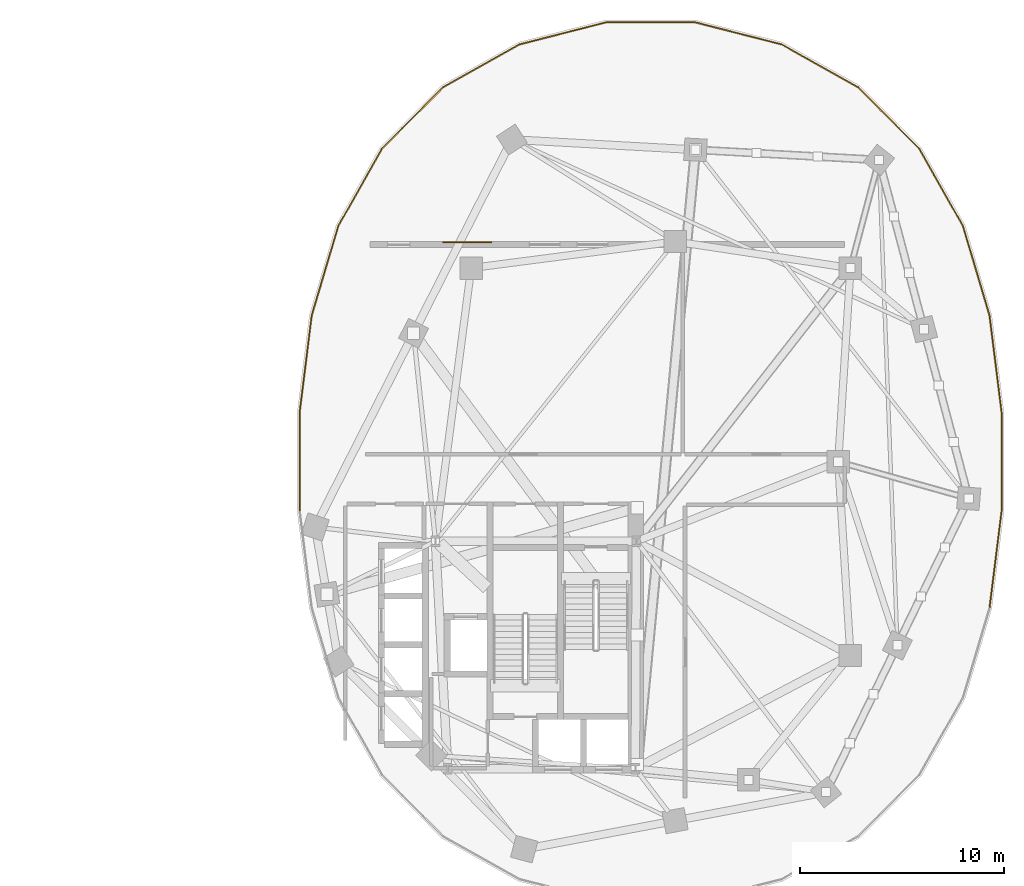
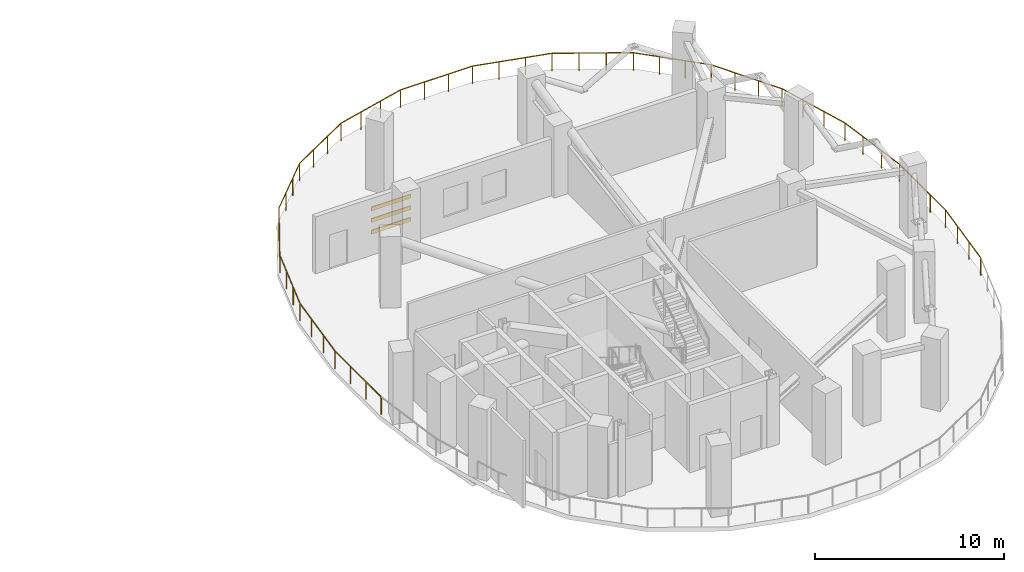
# One storey, part 12 of 12: 8 railings, 3 shading devices.
"""IFC4 building model written with IfcOpenShell, lengths in metres."""

from ifc_helpers import new_model, si_unit, direction, frame, origin, origin_2d, place, context, subcontext, project, spatial, rectangle, extrude, material, material_profile, profile_set, type_object, element, save


model = new_model("IFC4")

# Units and contexts
model_context = context("Model", 3, precision=1e-05, world=origin(), true_north=direction((0.0, 1.0)))
body_context = subcontext(model_context, "Body", "Model", "MODEL_VIEW")
ifc_project = project(units=[si_unit("LENGTHUNIT", "METRE"), si_unit("AREAUNIT", "SQUARE_METRE"), si_unit("VOLUMEUNIT", "CUBIC_METRE"), si_unit("PLANEANGLEUNIT", "RADIAN"), si_unit("MASSUNIT", "GRAM", prefix="KILO"), si_unit("THERMODYNAMICTEMPERATUREUNIT", "KELVIN"), si_unit("POWERUNIT", "WATT")], contexts=[model_context])

# Site, building, storey
site_placement = place(None, origin())
site = spatial("IfcSite", under=ifc_project, at=site_placement, CompositionType="ELEMENT")
building_placement = place(site_placement, origin())
building = spatial("IfcBuilding", under=site, at=building_placement, Name="Cundina Bronze Exchange", CompositionType="ELEMENT")
storey_placement = place(building_placement, frame((0.0, 0.0, 132.199951171875)))
storey = spatial("IfcBuildingStorey", under=building, at=storey_placement, Name="L34", CompositionType="ELEMENT", Elevation=132.199951171875)

# Railings
ifc_material = material(Name="Anodised Bronze Aluminium 6063-T6", Category="aluminium")
railing_type = type_object("IfcRailingType", Name="RLG-GRD-1150", PredefinedType="GUARDRAIL", material=ifc_material)
railing_1_placement = place(storey_placement, frame((49.208984375, 2.43359375, 0.0)))
element("IfcRailing", 1, at=railing_1_placement, inside=storey, type_object=railing_type, Name="L34 Perimeter Safety Guardrail 01", PredefinedType="GUARDRAIL", context=body_context, shape_type="SweptSolid", body=[
    extrude(rectangle(XDim=0.048095703125, YDim=0.048095703125, at=origin_2d()), frame((0.0, 0.0, 1.1259765625), z_axis=(0.0, -1.0, 0.0), x_axis=(1.0, 0.0, 0.0)), (0.0, 0.0, 1.0), 4.8671875),
    extrude(rectangle(XDim=0.048095703125, YDim=0.048095703125, at=origin_2d()), frame((0.0, -4.8671875, 1.1259765625), z_axis=(-0.123846086367, -0.992301439529, 0.0), x_axis=(0.992301439529, -0.123846086367, 0.0)), (0.0, 0.0, 1.0), 4.778564453125),
    extrude(rectangle(XDim=0.0419921875, YDim=0.0419921875, at=origin_2d()), origin(), (0.0, 0.0, 1.0), 1.101806640625),
    extrude(rectangle(XDim=0.0419921875, YDim=0.0419921875, at=origin_2d()), frame((0.0, -1.622314453125, 0.0)), (0.0, 0.0, 1.0), 1.101806640625),
    extrude(rectangle(XDim=0.0419921875, YDim=0.0419921875, at=origin_2d()), frame((0.0, -3.244873046875, 0.0)), (0.0, 0.0, 1.0), 1.101806640625),
    extrude(rectangle(XDim=0.0419921875, YDim=0.0419921875, at=origin_2d()), frame((0.0, -4.8671875, 0.0)), (0.0, 0.0, 1.0), 1.101806640625),
    extrude(rectangle(XDim=0.0419921875, YDim=0.0419921875, at=origin_2d()), frame((-0.197265625, -6.44775390625, 0.0)), (0.0, 0.0, 1.0), 1.101806640625),
    extrude(rectangle(XDim=0.0419921875, YDim=0.0419921875, at=origin_2d()), frame((-0.39453125, -8.0283203125, 0.0)), (0.0, 0.0, 1.0), 1.101806640625),
    extrude(rectangle(XDim=0.0419921875, YDim=0.0419921875, at=origin_2d()), frame((-0.591796875, -9.60888671875, 0.0)), (0.0, 0.0, 1.0), 1.101806640625),
])
railing_2_placement = place(storey_placement, frame((14.791015625, -2.43359375, 0.0)))
element("IfcRailing", 2, at=railing_2_placement, inside=storey, type_object=railing_type, Name="L34 Perimeter Safety Guardrail 08", PredefinedType="GUARDRAIL", context=body_context, shape_type="SweptSolid", body=[
    extrude(rectangle(XDim=0.048095703125, YDim=0.048095703125, at=origin_2d()), frame((0.0, 0.0, 1.1259765625), z_axis=(0.0, 1.0, 0.0), x_axis=(-1.0, 0.0, 0.0)), (0.0, 0.0, 1.0), 4.8671875),
    extrude(rectangle(XDim=0.048095703125, YDim=0.048095703125, at=origin_2d()), frame((0.0, 4.8671875, 1.1259765625), z_axis=(0.123846086367, 0.992301439529, 0.0), x_axis=(-0.992301439529, 0.123846086367, 0.0)), (0.0, 0.0, 1.0), 4.778564453125),
    extrude(rectangle(XDim=0.0419921875, YDim=0.0419921875, at=origin_2d()), origin(), (0.0, 0.0, 1.0), 1.101806640625),
    extrude(rectangle(XDim=0.0419921875, YDim=0.0419921875, at=origin_2d()), frame((0.0, 1.622314453125, 0.0)), (0.0, 0.0, 1.0), 1.101806640625),
    extrude(rectangle(XDim=0.0419921875, YDim=0.0419921875, at=origin_2d()), frame((0.0, 3.244873046875, 0.0)), (0.0, 0.0, 1.0), 1.101806640625),
    extrude(rectangle(XDim=0.0419921875, YDim=0.0419921875, at=origin_2d()), frame((0.0, 4.8671875, 0.0)), (0.0, 0.0, 1.0), 1.101806640625),
    extrude(rectangle(XDim=0.0419921875, YDim=0.0419921875, at=origin_2d()), frame((0.197265625, 6.44775390625, 0.0)), (0.0, 0.0, 1.0), 1.101806640625),
    extrude(rectangle(XDim=0.0419921875, YDim=0.0419921875, at=origin_2d()), frame((0.39453125, 8.0283203125, 0.0)), (0.0, 0.0, 1.0), 1.101806640625),
    extrude(rectangle(XDim=0.0419921875, YDim=0.0419921875, at=origin_2d()), frame((0.591796875, 9.60888671875, 0.0)), (0.0, 0.0, 1.0), 1.101806640625),
])
railing_3_placement = place(storey_placement, frame((15.3828125, 7.17529296875, 0.0)))
element("IfcRailing", 3, at=railing_3_placement, inside=storey, type_object=railing_type, Name="L34 Perimeter Safety Guardrail 09", PredefinedType="GUARDRAIL", context=body_context, shape_type="SweptSolid", body=[
    extrude(rectangle(XDim=0.048095703125, YDim=0.048095703125, at=origin_2d()), frame((0.0, 0.0, 1.1259765625), z_axis=(0.284864013169, 0.958567939168, 0.0), x_axis=(-0.958567939168, 0.284864013169, 0.0)), (0.0, 0.0, 1.0), 4.564697265625),
    extrude(rectangle(XDim=0.048095703125, YDim=0.048095703125, at=origin_2d()), frame((1.30029296875, 4.37548828125, 1.1259765625), z_axis=(0.491134584651, 0.871083704221, 0.0), x_axis=(-0.871083704221, 0.491134584651, 0.0)), (0.0, 0.0, 1.0), 4.35205078125),
    extrude(rectangle(XDim=0.0419921875, YDim=0.0419921875, at=origin_2d()), origin(), (0.0, 0.0, 1.0), 1.101806640625),
    extrude(rectangle(XDim=0.0419921875, YDim=0.0419921875, at=origin_2d()), frame((0.433349609375, 1.45849609375, 0.0)), (0.0, 0.0, 1.0), 1.101806640625),
    extrude(rectangle(XDim=0.0419921875, YDim=0.0419921875, at=origin_2d()), frame((0.866943359375, 2.9169921875, 0.0)), (0.0, 0.0, 1.0), 1.101806640625),
    extrude(rectangle(XDim=0.0419921875, YDim=0.0419921875, at=origin_2d()), frame((1.30029296875, 4.37548828125, 0.0)), (0.0, 0.0, 1.0), 1.101806640625),
    extrude(rectangle(XDim=0.0419921875, YDim=0.0419921875, at=origin_2d()), frame((2.0126953125, 5.63916015625, 0.0)), (0.0, 0.0, 1.0), 1.101806640625),
    extrude(rectangle(XDim=0.0419921875, YDim=0.0419921875, at=origin_2d()), frame((2.725341796875, 6.90283203125, 0.0)), (0.0, 0.0, 1.0), 1.101806640625),
    extrude(rectangle(XDim=0.0419921875, YDim=0.0419921875, at=origin_2d()), frame((3.437744140625, 8.16650390625, 0.0)), (0.0, 0.0, 1.0), 1.101806640625),
])
railing_4_placement = place(storey_placement, frame((18.820556640625, 15.341796875, 0.0)))
element("IfcRailing", 4, at=railing_4_placement, inside=storey, type_object=railing_type, Name="L34 Perimeter Safety Guardrail 10", PredefinedType="GUARDRAIL", context=body_context, shape_type="SweptSolid", body=[
    extrude(rectangle(XDim=0.048095703125, YDim=0.048095703125, at=origin_2d()), frame((0.0, 0.0, 1.1259765625), z_axis=(0.705213293252, 0.70899521227, 0.0), x_axis=(-0.70899521227, 0.705213293252, 0.0)), (0.0, 0.0, 1.0), 4.260498046875),
    extrude(rectangle(XDim=0.048095703125, YDim=0.048095703125, at=origin_2d()), frame((3.004638671875, 3.020751953125, 1.1259765625), z_axis=(0.871962493313, 0.48957268128, 0.0), x_axis=(-0.48957268128, 0.871962493313, 0.0)), (0.0, 0.0, 1.0), 4.293701171875),
    extrude(rectangle(XDim=0.0419921875, YDim=0.0419921875, at=origin_2d()), origin(), (0.0, 0.0, 1.0), 1.101806640625),
    extrude(rectangle(XDim=0.0419921875, YDim=0.0419921875, at=origin_2d()), frame((1.00146484375, 1.0068359375, 0.0)), (0.0, 0.0, 1.0), 1.101806640625),
    extrude(rectangle(XDim=0.0419921875, YDim=0.0419921875, at=origin_2d()), frame((2.003173828125, 2.013916015625, 0.0)), (0.0, 0.0, 1.0), 1.101806640625),
    extrude(rectangle(XDim=0.0419921875, YDim=0.0419921875, at=origin_2d()), frame((3.004638671875, 3.020751953125, 0.0)), (0.0, 0.0, 1.0), 1.101806640625),
    extrude(rectangle(XDim=0.0419921875, YDim=0.0419921875, at=origin_2d()), frame((4.252685546875, 3.721435546875, 0.0)), (0.0, 0.0, 1.0), 1.101806640625),
    extrude(rectangle(XDim=0.0419921875, YDim=0.0419921875, at=origin_2d()), frame((5.50048828125, 4.422119140625, 0.0)), (0.0, 0.0, 1.0), 1.101806640625),
    extrude(rectangle(XDim=0.0419921875, YDim=0.0419921875, at=origin_2d()), frame((6.74853515625, 5.122802734375, 0.0)), (0.0, 0.0, 1.0), 1.101806640625),
])
railing_5_placement = place(storey_placement, frame((25.569091796875, 20.464599609375, 0.0)))
element("IfcRailing", 5, at=railing_5_placement, inside=storey, type_object=railing_type, Name="L34 Perimeter Safety Guardrail 11", PredefinedType="GUARDRAIL", context=body_context, shape_type="SweptSolid", body=[
    extrude(rectangle(XDim=0.048095703125, YDim=0.048095703125, at=origin_2d()), frame((0.0, 0.0, 1.1259765625), z_axis=(0.969034209537, 0.246926508799, 0.0), x_axis=(-0.246926508799, 0.969034209537, 0.0)), (0.0, 0.0, 1.0), 4.3671875),
    extrude(rectangle(XDim=0.048095703125, YDim=0.048095703125, at=origin_2d()), frame((4.23193359375, 1.078369140625, 1.1259765625), z_axis=(1.0, 0.0, 0.0), x_axis=(0.0, 1.0, 0.0)), (0.0, 0.0, 1.0), 4.39794921875),
    extrude(rectangle(XDim=0.0419921875, YDim=0.0419921875, at=origin_2d()), origin(), (0.0, 0.0, 1.0), 1.101806640625),
    extrude(rectangle(XDim=0.0419921875, YDim=0.0419921875, at=origin_2d()), frame((1.41064453125, 0.359375, 0.0)), (0.0, 0.0, 1.0), 1.101806640625),
    extrude(rectangle(XDim=0.0419921875, YDim=0.0419921875, at=origin_2d()), frame((2.8212890625, 0.718994140625, 0.0)), (0.0, 0.0, 1.0), 1.101806640625),
    extrude(rectangle(XDim=0.0419921875, YDim=0.0419921875, at=origin_2d()), frame((4.23193359375, 1.078369140625, 0.0)), (0.0, 0.0, 1.0), 1.101806640625),
    extrude(rectangle(XDim=0.0419921875, YDim=0.0419921875, at=origin_2d()), frame((5.697998046875, 1.078369140625, 0.0)), (0.0, 0.0, 1.0), 1.101806640625),
    extrude(rectangle(XDim=0.0419921875, YDim=0.0419921875, at=origin_2d()), frame((7.163818359375, 1.078369140625, 0.0)), (0.0, 0.0, 1.0), 1.101806640625),
    extrude(rectangle(XDim=0.0419921875, YDim=0.0419921875, at=origin_2d()), frame((8.6298828125, 1.078369140625, 0.0)), (0.0, 0.0, 1.0), 1.101806640625),
])
railing_6_placement = place(storey_placement, frame((34.198974609375, 21.54296875, 0.0)))
element("IfcRailing", 6, at=railing_6_placement, inside=storey, type_object=railing_type, Name="L34 Perimeter Safety Guardrail 12", PredefinedType="GUARDRAIL", context=body_context, shape_type="SweptSolid", body=[
    extrude(rectangle(XDim=0.048095703125, YDim=0.048095703125, at=origin_2d()), frame((0.0, 0.0, 1.1259765625), z_axis=(0.969034209537, -0.246926508799, 0.0), x_axis=(0.246926508799, 0.969034209537, 0.0)), (0.0, 0.0, 1.0), 4.3671875),
    extrude(rectangle(XDim=0.048095703125, YDim=0.048095703125, at=origin_2d()), frame((4.23193359375, -1.078369140625, 1.1259765625), z_axis=(0.871962493313, -0.48957268128, 0.0), x_axis=(0.48957268128, 0.871962493313, 0.0)), (0.0, 0.0, 1.0), 4.293701171875),
    extrude(rectangle(XDim=0.0419921875, YDim=0.0419921875, at=origin_2d()), origin(), (0.0, 0.0, 1.0), 1.101806640625),
    extrude(rectangle(XDim=0.0419921875, YDim=0.0419921875, at=origin_2d()), frame((1.41064453125, -0.359375, 0.0)), (0.0, 0.0, 1.0), 1.101806640625),
    extrude(rectangle(XDim=0.0419921875, YDim=0.0419921875, at=origin_2d()), frame((2.8212890625, -0.718994140625, 0.0)), (0.0, 0.0, 1.0), 1.101806640625),
    extrude(rectangle(XDim=0.0419921875, YDim=0.0419921875, at=origin_2d()), frame((4.23193359375, -1.078369140625, 0.0)), (0.0, 0.0, 1.0), 1.101806640625),
    extrude(rectangle(XDim=0.0419921875, YDim=0.0419921875, at=origin_2d()), frame((5.47998046875, -1.779052734375, 0.0)), (0.0, 0.0, 1.0), 1.101806640625),
    extrude(rectangle(XDim=0.0419921875, YDim=0.0419921875, at=origin_2d()), frame((6.727783203125, -2.479736328125, 0.0)), (0.0, 0.0, 1.0), 1.101806640625),
    extrude(rectangle(XDim=0.0419921875, YDim=0.0419921875, at=origin_2d()), frame((7.975830078125, -3.180419921875, 0.0)), (0.0, 0.0, 1.0), 1.101806640625),
])
railing_7_placement = place(storey_placement, frame((42.1748046875, 18.362548828125, 0.0)))
element("IfcRailing", 7, at=railing_7_placement, inside=storey, type_object=railing_type, Name="L34 Perimeter Safety Guardrail 13", PredefinedType="GUARDRAIL", context=body_context, shape_type="SweptSolid", body=[
    extrude(rectangle(XDim=0.048095703125, YDim=0.048095703125, at=origin_2d()), frame((0.0, 0.0, 1.1259765625), z_axis=(0.705213293252, -0.70899521227, 0.0), x_axis=(0.70899521227, 0.705213293252, 0.0)), (0.0, 0.0, 1.0), 4.260498046875),
    extrude(rectangle(XDim=0.048095703125, YDim=0.048095703125, at=origin_2d()), frame((3.004638671875, -3.020751953125, 1.1259765625), z_axis=(0.491134584651, -0.871083704221, 0.0), x_axis=(0.871083704221, 0.491134584651, 0.0)), (0.0, 0.0, 1.0), 4.35205078125),
    extrude(rectangle(XDim=0.0419921875, YDim=0.0419921875, at=origin_2d()), origin(), (0.0, 0.0, 1.0), 1.101806640625),
    extrude(rectangle(XDim=0.0419921875, YDim=0.0419921875, at=origin_2d()), frame((1.00146484375, -1.0068359375, 0.0)), (0.0, 0.0, 1.0), 1.101806640625),
    extrude(rectangle(XDim=0.0419921875, YDim=0.0419921875, at=origin_2d()), frame((2.003173828125, -2.013916015625, 0.0)), (0.0, 0.0, 1.0), 1.101806640625),
    extrude(rectangle(XDim=0.0419921875, YDim=0.0419921875, at=origin_2d()), frame((3.004638671875, -3.020751953125, 0.0)), (0.0, 0.0, 1.0), 1.101806640625),
    extrude(rectangle(XDim=0.0419921875, YDim=0.0419921875, at=origin_2d()), frame((3.717041015625, -4.284423828125, 0.0)), (0.0, 0.0, 1.0), 1.101806640625),
    extrude(rectangle(XDim=0.0419921875, YDim=0.0419921875, at=origin_2d()), frame((4.4296875, -5.548095703125, 0.0)), (0.0, 0.0, 1.0), 1.101806640625),
    extrude(rectangle(XDim=0.0419921875, YDim=0.0419921875, at=origin_2d()), frame((5.14208984375, -6.811767578125, 0.0)), (0.0, 0.0, 1.0), 1.101806640625),
])
railing_8_placement = place(storey_placement, frame((47.31689453125, 11.55078125, 0.0)))
element("IfcRailing", 8, at=railing_8_placement, inside=storey, type_object=railing_type, Name="L34 Perimeter Safety Guardrail 14", PredefinedType="GUARDRAIL", context=body_context, shape_type="SweptSolid", body=[
    extrude(rectangle(XDim=0.048095703125, YDim=0.048095703125, at=origin_2d()), frame((0.0, 0.0, 1.1259765625), z_axis=(0.284864013169, -0.958567939168, 0.0), x_axis=(0.958567939168, 0.284864013169, 0.0)), (0.0, 0.0, 1.0), 4.564697265625),
    extrude(rectangle(XDim=0.048095703125, YDim=0.048095703125, at=origin_2d()), frame((1.30029296875, -4.37548828125, 1.1259765625), z_axis=(0.123846086367, -0.992301439529, 0.0), x_axis=(0.992301439529, 0.123846086367, 0.0)), (0.0, 0.0, 1.0), 4.778564453125),
    extrude(rectangle(XDim=0.0419921875, YDim=0.0419921875, at=origin_2d()), origin(), (0.0, 0.0, 1.0), 1.101806640625),
    extrude(rectangle(XDim=0.0419921875, YDim=0.0419921875, at=origin_2d()), frame((0.433349609375, -1.45849609375, 0.0)), (0.0, 0.0, 1.0), 1.101806640625),
    extrude(rectangle(XDim=0.0419921875, YDim=0.0419921875, at=origin_2d()), frame((0.866943359375, -2.9169921875, 0.0)), (0.0, 0.0, 1.0), 1.101806640625),
    extrude(rectangle(XDim=0.0419921875, YDim=0.0419921875, at=origin_2d()), frame((1.30029296875, -4.37548828125, 0.0)), (0.0, 0.0, 1.0), 1.101806640625),
    extrude(rectangle(XDim=0.0419921875, YDim=0.0419921875, at=origin_2d()), frame((1.49755859375, -5.9560546875, 0.0)), (0.0, 0.0, 1.0), 1.101806640625),
    extrude(rectangle(XDim=0.0419921875, YDim=0.0419921875, at=origin_2d()), frame((1.69482421875, -7.53662109375, 0.0)), (0.0, 0.0, 1.0), 1.101806640625),
    extrude(rectangle(XDim=0.0419921875, YDim=0.0419921875, at=origin_2d()), frame((1.89208984375, -9.1171875, 0.0)), (0.0, 0.0, 1.0), 1.101806640625),
])

# Shading devices
ifc_material_profile = material_profile(ifc_material, rectangle(XDim=0.06005859375, YDim=0.25, at=origin_2d()), Name="LVR60X250", Category="aluminium")
ifc_profile_set = profile_set([ifc_material_profile], Name="Anodised Bronze Aluminium 6063-T6")
shading_device_type = type_object("IfcShadingDeviceType", Name="SHD-LVR-BRZ250", PredefinedType="JALOUSIE", material=ifc_profile_set)
for number, where, z_axis, x_axis, name in (
    (9, (21.800048828125, 10.760009765625, 1.300048828125), (1.0, 0.0, 0.0), (0.0, 1.0, 0.0), "L34 Leg E Plant Intake Jalousie Louvre 1"),
    (10, (21.800048828125, 10.760009765625, 2.050048828125), (1.0, 0.0, 0.0), (0.0, 1.0, 0.0), "L34 Leg E Plant Intake Jalousie Louvre 2"),
    (11, (21.800048828125, 10.760009765625, 2.800048828125), (1.0, 0.0, 0.0), (0.0, 1.0, 0.0), "L34 Leg E Plant Intake Jalousie Louvre 3"),
):
    element("IfcShadingDevice", number, at=place(storey_placement, frame(where, z_axis=z_axis, x_axis=x_axis)), inside=storey, type_object=shading_device_type, Name=name, PredefinedType="JALOUSIE", context=body_context, shape_type="SweptSolid", body=[
        extrude(rectangle(XDim=0.06005859375, YDim=0.25, at=origin_2d()), origin(), (0.0, 0.0, 1.0), 2.39990234375),
    ])

save(model, "model.ifc")
